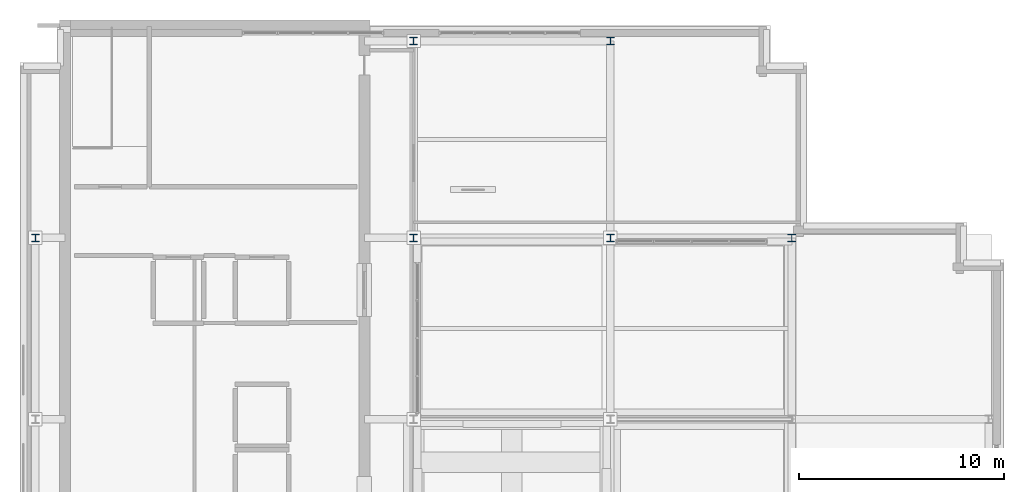
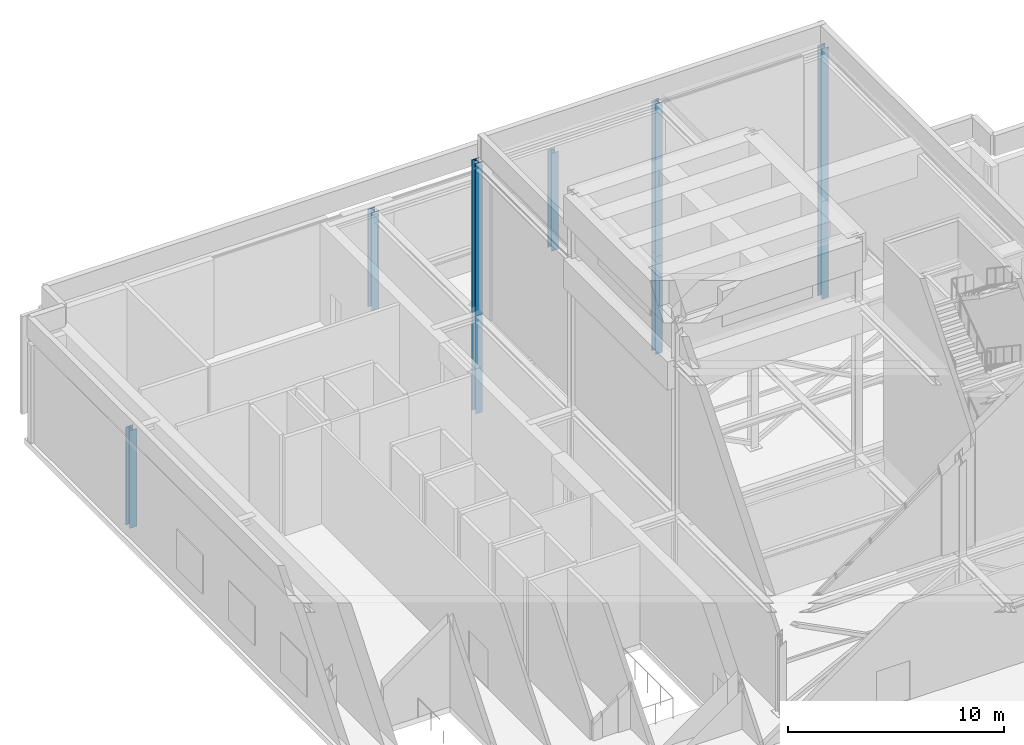
# One storey, part 2 of 17: 9 columns.
"""IFC4 building model written with IfcOpenShell, lengths in metres."""

from ifc_helpers import new_model, si_unit, direction, frame, origin, origin_2d, place, context, subcontext, project, spatial, i_section, extrude, material, material_profile, profile_set, type_object, element, save


model = new_model("IFC4")

# Units and contexts
model_context = context("Model", 3, precision=1e-05, world=origin(), true_north=direction((0.0, 1.0)))
body_context = subcontext(model_context, "Body", "Model", "MODEL_VIEW")
ifc_project = project(units=[si_unit("LENGTHUNIT", "METRE"), si_unit("AREAUNIT", "SQUARE_METRE"), si_unit("VOLUMEUNIT", "CUBIC_METRE"), si_unit("PLANEANGLEUNIT", "RADIAN"), si_unit("MASSUNIT", "GRAM", prefix="KILO")], contexts=[model_context])

# Site, building, storey
site_placement = place(None, origin())
site = spatial("IfcSite", under=ifc_project, at=site_placement, CompositionType="ELEMENT")
building_placement = place(site_placement, origin())
building = spatial("IfcBuilding", under=site, at=building_placement, Name="Norrvale University Quadrangle", CompositionType="ELEMENT")
storey_placement = place(building_placement, frame((0.0, 0.0, 308.0)))
storey = spatial("IfcBuildingStorey", under=building, at=storey_placement, Name="L78", CompositionType="ELEMENT", Elevation=308.0)

# Columns
ifc_material = material(Name="Steel 350W", Category="steel")
ifc_material_profile = material_profile(ifc_material, i_section(OverallWidth=0.3740234375, OverallDepth=0.3720703125, WebThickness=0.016357421875, FlangeThickness=0.026123046875, FilletRadius=0.014892578125, at=origin_2d()), Name="Steel 350W")
ifc_profile_set = profile_set([ifc_material_profile], Name="Steel 350W")
column_type = type_object("IfcColumnType", Name="Column Crown W360x196", PredefinedType="COLUMN", material=ifc_profile_set)
for number, where, z_axis, x_axis, name in (
    (1, (0.75, 37.64990234375, 0.0), (0.0, 0.0, 1.0), (1.0, 0.0, 0.0), "Tower Column L78-T04"),
    (2, (19.199951171875, 37.64990234375, 0.0), (0.0, 0.0, 1.0), (1.0, 0.0, 0.0), "Tower Column L78-T10"),
    (3, (19.199951171875, 47.25, 0.0), (0.0, 0.0, 1.0), (1.0, 0.0, 0.0), "Tower Column L78-T11"),
    (4, (28.800048828125, 37.64990234375, 0.0), (0.0, 0.0, 1.0), (1.0, 0.0, 0.0), "Tower Column L78-T16"),
    (5, (28.800048828125, 47.25, 0.0), (0.0, 0.0, 1.0), (1.0, 0.0, 0.0), "Tower Column L78-T17"),
    (6, (37.64990234375, 37.64990234375, 0.0), (0.0, 0.0, 1.0), (1.0, 0.0, 0.0), "Tower Column L78-T22"),
):
    element("IfcColumn", number, at=place(storey_placement, frame(where, z_axis=z_axis, x_axis=x_axis)), inside=storey, type_object=column_type, Name=name, PredefinedType="COLUMN", context=body_context, shape_type="SweptSolid", body=[
        extrude(i_section(OverallWidth=0.3740234375, OverallDepth=0.3720703125, WebThickness=0.016357421875, FlangeThickness=0.026123046875, FilletRadius=0.014892578125, at=origin_2d()), origin(), (0.0, 0.0, 1.0), 5.52001953125),
    ])
for number, where, z_axis, x_axis, name in (
    (7, (19.199951171875, 37.64990234375, 5.52001953125), (0.0, 0.0, 1.0), (1.0, 0.0, 0.0), "Crown Lantern Frame Column 04"),
    (8, (28.800048828125, 37.64990234375, 5.52001953125), (0.0, 0.0, 1.0), (1.0, 0.0, 0.0), "Crown Lantern Frame Column 08"),
    (9, (37.64990234375, 37.64990234375, 5.52001953125), (0.0, 0.0, 1.0), (1.0, 0.0, 0.0), "Crown Lantern Frame Column 12"),
):
    element("IfcColumn", number, at=place(storey_placement, frame(where, z_axis=z_axis, x_axis=x_axis)), inside=storey, type_object=column_type, Name=name, PredefinedType="COLUMN", context=body_context, shape_type="SweptSolid", body=[
        extrude(i_section(OverallWidth=0.3740234375, OverallDepth=0.3720703125, WebThickness=0.016357421875, FlangeThickness=0.026123046875, FilletRadius=0.014892578125, at=origin_2d()), origin(), (0.0, 0.0, 1.0), 8.60009765625),
    ])

save(model, "model.ifc")
